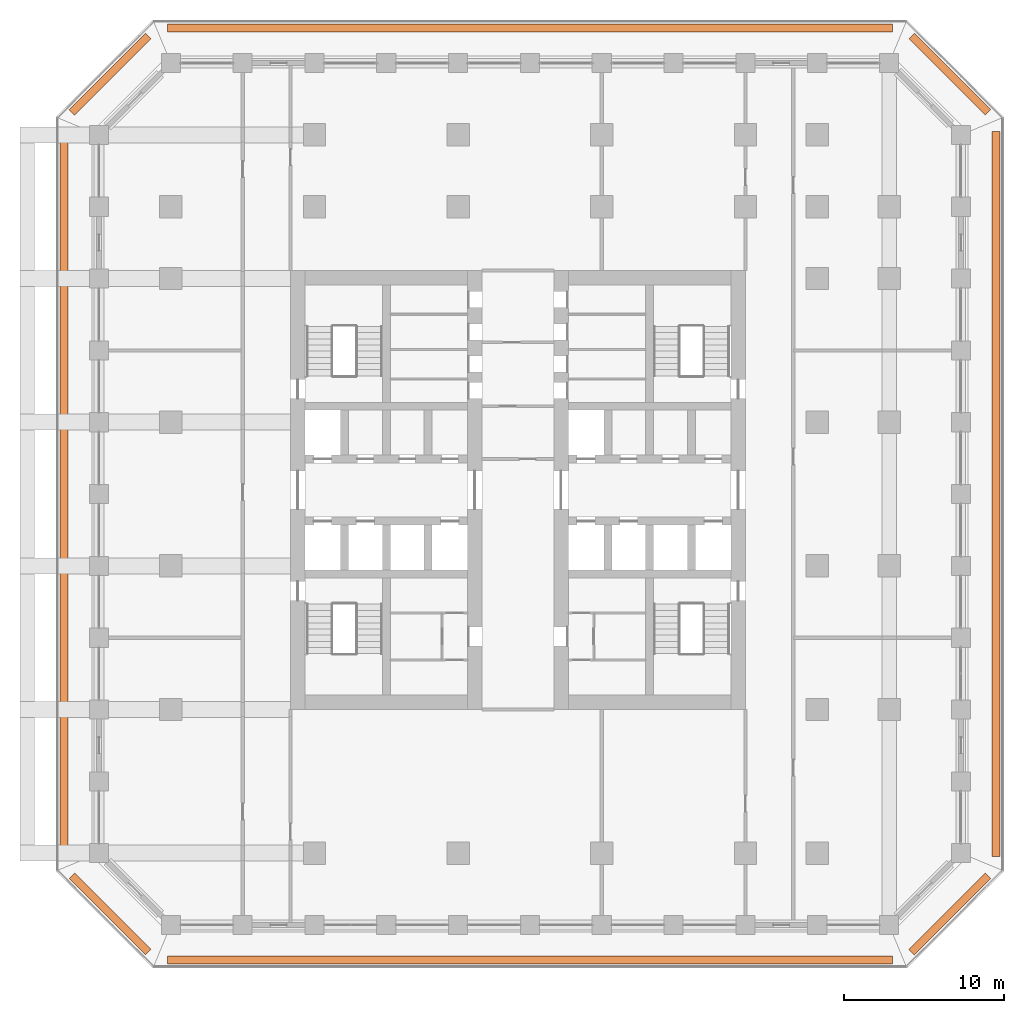
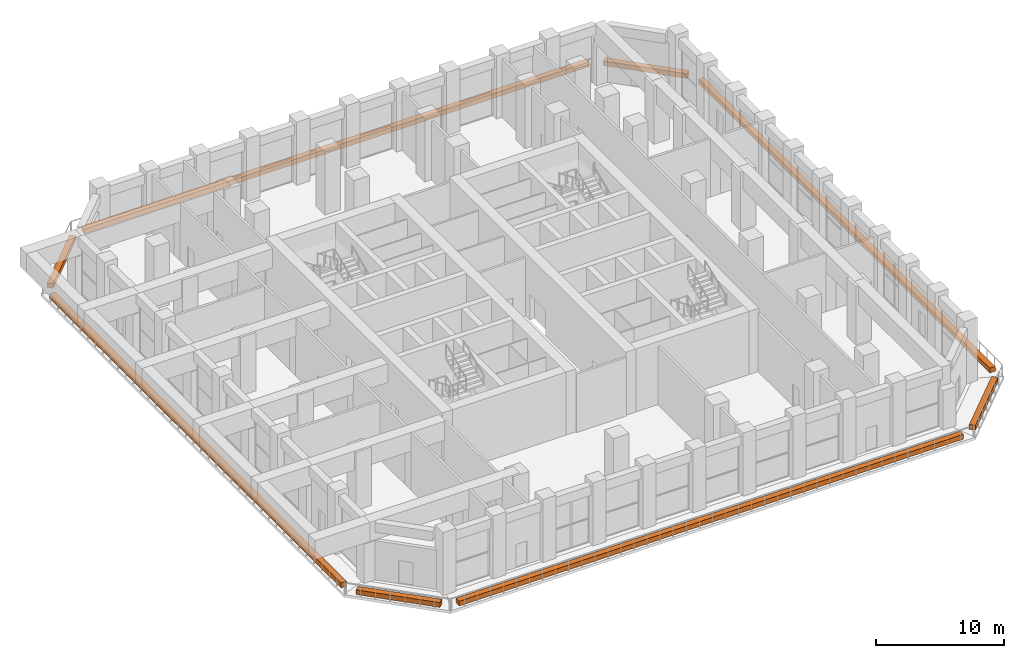
# One storey, part 24 of 24: 8 proxies.
"""IFC4 building model written with IfcOpenShell, lengths in metres."""

from ifc_helpers import new_model, si_unit, direction, frame, origin, origin_2d, place, context, subcontext, project, spatial, rectangle, extrude, material, type_object, element, save


model = new_model("IFC4")

# Units and contexts
model_context = context("Model", 3, precision=1e-05, world=origin(), true_north=direction((0.0, 1.0)))
body_context = subcontext(model_context, "Body", "Model", "MODEL_VIEW")
ifc_project = project(units=[si_unit("LENGTHUNIT", "METRE"), si_unit("AREAUNIT", "SQUARE_METRE"), si_unit("VOLUMEUNIT", "CUBIC_METRE"), si_unit("PLANEANGLEUNIT", "RADIAN"), si_unit("MASSUNIT", "GRAM", prefix="KILO")], contexts=[model_context])

# Site, building, storey
site_placement = place(None, origin())
site = spatial("IfcSite", under=ifc_project, at=site_placement, CompositionType="ELEMENT")
building_placement = place(site_placement, origin())
building = spatial("IfcBuilding", under=site, at=building_placement, Name="Corbel Stack Research Tower", CompositionType="ELEMENT")
storey_placement = place(building_placement, frame((0.0, 0.0, 110.699951171875)))
storey = spatial("IfcBuildingStorey", under=building, at=storey_placement, Name="L25", CompositionType="ELEMENT", Elevation=110.699951171875)

# Proxies
ifc_material = material(Name="Concrete C45/55", Category="concrete")
building_element_proxy_type = type_object("IfcBuildingElementProxyType", Name="Planter box", PredefinedType="USERDEFINED", material=ifc_material)
proxy_1_placement = place(storey_placement, frame((4.5, -24.699951171875, 0.0), z_axis=(0.0, 0.0, 1.0), x_axis=(1.0, 0.0, 0.0)))
element("IfcBuildingElementProxy", 1, at=proxy_1_placement, inside=storey, type_object=building_element_proxy_type, Name="Planter L25 S", ObjectType="PLANTER", PredefinedType="USERDEFINED", context=body_context, shape_type="SweptSolid", body=[
    extrude(rectangle(XDim=45.41064453125, YDim=0.5, at=origin_2d()), origin(), (0.0, 0.0, 1.0), 0.449951171875),
])
proxy_2_placement = place(storey_placement, frame((30.8056640625, -21.8056640625, 0.0), z_axis=(0.0, 0.0, 1.0), x_axis=(0.707106781187, 0.707106781187, 0.0)))
element("IfcBuildingElementProxy", 2, at=proxy_2_placement, inside=storey, type_object=building_element_proxy_type, Name="Planter L25 SE", ObjectType="PLANTER", PredefinedType="USERDEFINED", context=body_context, shape_type="SweptSolid", body=[
    extrude(rectangle(XDim=6.774658203125, YDim=0.5, at=origin_2d()), origin(), (0.0, 0.0, 1.0), 0.449951171875),
])
proxy_3_placement = place(storey_placement, frame((33.699951171875, 4.5, 0.0), z_axis=(0.0, 0.0, 1.0), x_axis=(0.0, 1.0, 0.0)))
element("IfcBuildingElementProxy", 3, at=proxy_3_placement, inside=storey, type_object=building_element_proxy_type, Name="Planter L25 E", ObjectType="PLANTER", PredefinedType="USERDEFINED", context=body_context, shape_type="SweptSolid", body=[
    extrude(rectangle(XDim=45.41064453125, YDim=0.5, at=origin_2d()), origin(), (0.0, 0.0, 1.0), 0.449951171875),
])
proxy_4_placement = place(storey_placement, frame((30.8056640625, 30.8056640625, 0.0), z_axis=(0.0, 0.0, 1.0), x_axis=(-0.707106781187, 0.707106781187, 0.0)))
element("IfcBuildingElementProxy", 4, at=proxy_4_placement, inside=storey, type_object=building_element_proxy_type, Name="Planter L25 NE", ObjectType="PLANTER", PredefinedType="USERDEFINED", context=body_context, shape_type="SweptSolid", body=[
    extrude(rectangle(XDim=6.774658203125, YDim=0.5, at=origin_2d()), origin(), (0.0, 0.0, 1.0), 0.449951171875),
])
proxy_5_placement = place(storey_placement, frame((4.5, 33.699951171875, 0.0), z_axis=(0.0, 0.0, 1.0), x_axis=(-1.0, 0.0, 0.0)))
element("IfcBuildingElementProxy", 5, at=proxy_5_placement, inside=storey, type_object=building_element_proxy_type, Name="Planter L25 N", ObjectType="PLANTER", PredefinedType="USERDEFINED", context=body_context, shape_type="SweptSolid", body=[
    extrude(rectangle(XDim=45.41064453125, YDim=0.5, at=origin_2d()), origin(), (0.0, 0.0, 1.0), 0.449951171875),
])
proxy_6_placement = place(storey_placement, frame((-21.8056640625, 30.8056640625, 0.0), z_axis=(0.0, 0.0, 1.0), x_axis=(-0.707106781187, -0.707106781187, 0.0)))
element("IfcBuildingElementProxy", 6, at=proxy_6_placement, inside=storey, type_object=building_element_proxy_type, Name="Planter L25 NW", ObjectType="PLANTER", PredefinedType="USERDEFINED", context=body_context, shape_type="SweptSolid", body=[
    extrude(rectangle(XDim=6.774658203125, YDim=0.5, at=origin_2d()), origin(), (0.0, 0.0, 1.0), 0.449951171875),
])
proxy_7_placement = place(storey_placement, frame((-24.699951171875, 4.5, 0.0), z_axis=(0.0, 0.0, 1.0), x_axis=(0.0, -1.0, 0.0)))
element("IfcBuildingElementProxy", 7, at=proxy_7_placement, inside=storey, type_object=building_element_proxy_type, Name="Planter L25 W", ObjectType="PLANTER", PredefinedType="USERDEFINED", context=body_context, shape_type="SweptSolid", body=[
    extrude(rectangle(XDim=45.41064453125, YDim=0.5, at=origin_2d()), origin(), (0.0, 0.0, 1.0), 0.449951171875),
])
proxy_8_placement = place(storey_placement, frame((-21.8056640625, -21.8056640625, 0.0), z_axis=(0.0, 0.0, 1.0), x_axis=(0.707106781187, -0.707106781187, 0.0)))
element("IfcBuildingElementProxy", 8, at=proxy_8_placement, inside=storey, type_object=building_element_proxy_type, Name="Planter L25 SW", ObjectType="PLANTER", PredefinedType="USERDEFINED", context=body_context, shape_type="SweptSolid", body=[
    extrude(rectangle(XDim=6.774658203125, YDim=0.5, at=origin_2d()), origin(), (0.0, 0.0, 1.0), 0.449951171875),
])

save(model, "model.ifc")
